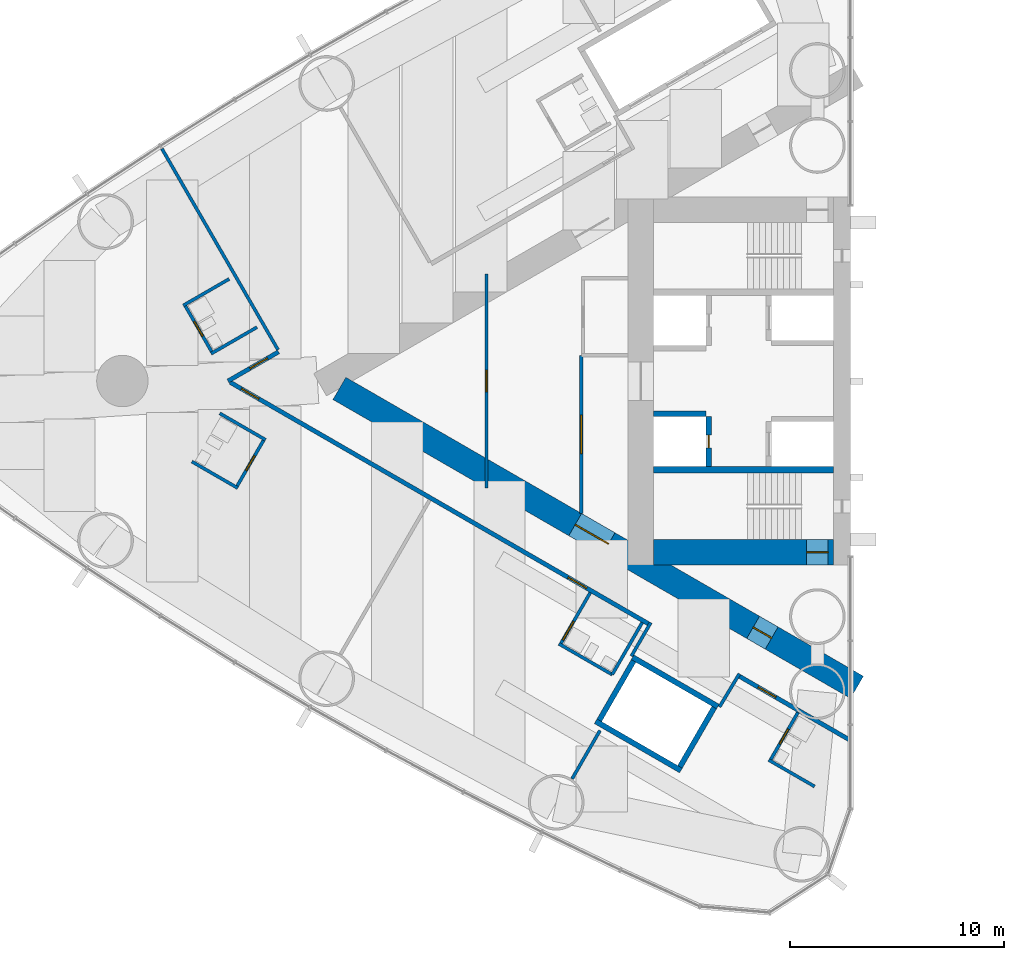
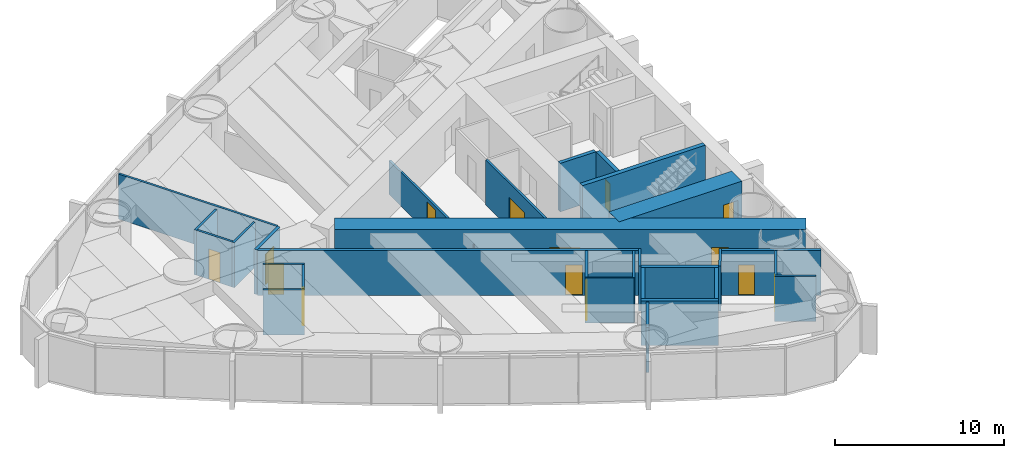
# One storey, part 11 of 18: 29 walls, 14 doors, 14 openings.
"""IFC4 building model written with IfcOpenShell, lengths in metres."""

from ifc_helpers import new_model, si_unit, direction, frame, frame_2d, origin, place, context, subcontext, project, spatial, rectangle, extrude, material, layer, layer_set, type_object, element, fill, save


model = new_model("IFC4")

# Units and contexts
model_context = context("Model", 3, precision=1e-05, world=origin(), true_north=direction((0.0, 1.0)))
body_context = subcontext(model_context, "Body", "Model", "MODEL_VIEW")
ifc_project = project(units=[si_unit("LENGTHUNIT", "METRE"), si_unit("AREAUNIT", "SQUARE_METRE"), si_unit("VOLUMEUNIT", "CUBIC_METRE"), si_unit("PLANEANGLEUNIT", "RADIAN"), si_unit("MASSUNIT", "GRAM", prefix="KILO")], contexts=[model_context])

# Site, building, storey
site_placement = place(None, origin())
site = spatial("IfcSite", under=ifc_project, at=site_placement, CompositionType="ELEMENT")
building_placement = place(site_placement, origin())
building = spatial("IfcBuilding", under=site, at=building_placement, Name="Lancet Gate Hotel", CompositionType="ELEMENT")
storey_placement = place(building_placement, frame((0.0, 0.0, 101.10009765625)))
storey = spatial("IfcBuildingStorey", under=building, at=storey_placement, Name="L26", CompositionType="ELEMENT", Elevation=101.10009765625)

# Wall
ifc_material_1 = material(Name="Moisture resistant board partition")
ifc_layer_1 = layer(ifc_material_1, 0.14990234375)
ifc_layer_set_1 = layer_set([ifc_layer_1], Name="Bathroom wall 150")
wall_type_1 = type_object("IfcWallType", Name="Bathroom wall 150", PredefinedType="PARTITIONING", material=ifc_layer_set_1)
wall_1_placement = place(storey_placement, frame((-56.51708984375, 4.763916015625, 0.0), z_axis=(0.0, 0.0, 1.0), x_axis=(-0.866031185235, -0.4999899861, 0.0)))
element("IfcWall", 1, at=wall_1_placement, inside=storey, type_object=wall_type_1, Name="T1 bathroom wall 150 L26", PredefinedType="PARTITIONING", context=body_context, shape_type="SweptSolid", body=[
    extrude(rectangle(XDim=2.47509765625, YDim=0.14990234375, at=frame_2d((1.237548828125, 0.0))), origin(), (0.0, 0.0, 1.0), 3.25),
])

# Wall, opening, door
wall_2_placement = place(storey_placement, frame((-57.295654296875, 1.312255859375, 0.0), z_axis=(0.0, 0.0, 1.0), x_axis=(-0.49997716683, 0.86603858612, 0.0)))
wall_2 = element("IfcWall", 2, at=wall_2_placement, inside=storey, type_object=wall_type_1, Name="T1 bathroom wall 150 L26", PredefinedType="PARTITIONING", context=body_context, shape_type="SweptSolid", body=[
    extrude(rectangle(XDim=2.599609375, YDim=0.14990234375, at=frame_2d((1.2998046875, 0.0))), origin(), (0.0, 0.0, 1.0), 3.25),
])
opening_1_placement = place(wall_2_placement, frame((0.89990234375, 0.0, 0.0)))
opening_1 = element("IfcOpeningElement", 3, at=opening_1_placement, cuts=wall_2, Name="Opening 2604-B", PredefinedType="OPENING", context=body_context, shape_type="SweptSolid", body=[
    extrude(rectangle(XDim=0.800048828125, YDim=2.199951171875, at=frame_2d((0.39990234375, 1.10009765625))), frame((0.0, 0.0849609375, 0.0), z_axis=(0.0, -1.0, 0.0), x_axis=(1.0, 0.0, 0.0)), (0.0, 0.0, 1.0), 0.169921875),
])
ifc_material_2 = material(Name="Timber door set", Category="wood")
door_type_1 = type_object("IfcDoorType", Name="Bathroom door 800", OperationType="SINGLE_SWING_RIGHT", PredefinedType="DOOR", material=ifc_material_2)
door_1_placement = place(opening_1_placement, origin())
door_1 = element("IfcDoor", 4, at=door_1_placement, inside=storey, type_object=door_type_1, Name="2604-B", OperationType="SINGLE_SWING_RIGHT", OverallHeight=2.199951171875, OverallWidth=0.800048828125, PredefinedType="DOOR", context=body_context, shape_type="SweptSolid", body=[
    extrude(rectangle(XDim=0.800048828125, YDim=2.199951171875, at=frame_2d((0.39990234375, 1.10009765625))), frame((0.0, 0.02490234375, 0.0), z_axis=(0.0, -1.0, 0.0), x_axis=(1.0, 0.0, 0.0)), (0.0, 0.0, 1.0), 0.050048828125),
])
fill(opening_1, door_1)

# Walls
for number, where, z_axis, x_axis, name in (
    (5, (-55.217041015625, 2.51220703125, 0.0), (0.0, 0.0, 1.0), (-0.866031185235, -0.4999899861, 0.0), "T1 bathroom wall 150 L26"),
    (6, (-56.111083984375, -4.998291015625, 0.0), (0.0, 0.0, 1.0), (-0.866031185235, 0.4999899861, 0.0), "T1 bathroom wall 150 L26"),
):
    element("IfcWall", number, at=place(storey_placement, frame(where, z_axis=z_axis, x_axis=x_axis)), inside=storey, type_object=wall_type_1, Name=name, PredefinedType="PARTITIONING", context=body_context, shape_type="SweptSolid", body=[
        extrude(rectangle(XDim=2.47509765625, YDim=0.14990234375, at=frame_2d((1.237548828125, 0.0))), origin(), (0.0, 0.0, 1.0), 3.25),
    ])

# Wall, opening, door
wall_3_placement = place(storey_placement, frame((-54.8759765625, -2.708984375, 0.0), z_axis=(0.0, 0.0, 1.0), x_axis=(-0.500006934395, -0.866021400173, 0.0)))
wall_3 = element("IfcWall", 7, at=wall_3_placement, inside=storey, type_object=wall_type_1, Name="T1 bathroom wall 150 L26", PredefinedType="PARTITIONING", context=body_context, shape_type="SweptSolid", body=[
    extrude(rectangle(XDim=2.60009765625, YDim=0.14990234375, at=frame_2d((1.300048828125, 0.0))), origin(), (0.0, 0.0, 1.0), 3.25),
])
opening_2_placement = place(wall_3_placement, frame((0.89990234375, 0.0, 0.0)))
opening_2 = element("IfcOpeningElement", 8, at=opening_2_placement, cuts=wall_3, Name="Opening 2605-B", PredefinedType="OPENING", context=body_context, shape_type="SweptSolid", body=[
    extrude(rectangle(XDim=0.800048828125, YDim=2.199951171875, at=frame_2d((0.39990234375, 1.10009765625))), frame((0.0, 0.0849609375, 0.0), z_axis=(0.0, -1.0, 0.0), x_axis=(1.0, 0.0, 0.0)), (0.0, 0.0, 1.0), 0.169921875),
])
door_2_placement = place(opening_2_placement, origin())
door_2 = element("IfcDoor", 9, at=door_2_placement, inside=storey, type_object=door_type_1, Name="2605-B", OperationType="SINGLE_SWING_RIGHT", OverallHeight=2.199951171875, OverallWidth=0.800048828125, PredefinedType="DOOR", context=body_context, shape_type="SweptSolid", body=[
    extrude(rectangle(XDim=0.800048828125, YDim=2.199951171875, at=frame_2d((0.39990234375, 1.10009765625))), frame((0.0, 0.02490234375, 0.0), z_axis=(0.0, -1.0, 0.0), x_axis=(1.0, 0.0, 0.0)), (0.0, 0.0, 1.0), 0.050048828125),
])
fill(opening_2, door_2)

# Walls
wall_4_placement = place(storey_placement, frame((-54.81103515625, -2.74658203125, 0.0), z_axis=(0.0, 0.0, 1.0), x_axis=(-0.866031185235, 0.4999899861, 0.0)))
element("IfcWall", 10, at=wall_4_placement, inside=storey, type_object=wall_type_1, Name="T1 bathroom wall 150 L26", PredefinedType="PARTITIONING", context=body_context, shape_type="SweptSolid", body=[
    extrude(rectangle(XDim=2.47509765625, YDim=0.14990234375, at=frame_2d((1.237548828125, 0.0))), origin(), (0.0, 0.0, 1.0), 3.25),
])
wall_5_placement = place(storey_placement, frame((-38.630126953125, -13.705322265625, 0.0), z_axis=(0.0, 0.0, 1.0), x_axis=(-0.866018712932, 0.500011588718, 0.0)))
element("IfcWall", 11, at=wall_5_placement, inside=storey, type_object=wall_type_1, Name="T1 bathroom wall 150 L26", PredefinedType="PARTITIONING", context=body_context, shape_type="SweptSolid", body=[
    extrude(rectangle(XDim=2.875, YDim=0.14990234375, at=frame_2d((1.4375, 0.0))), origin(), (0.0, 0.0, 1.0), 3.25),
])

# Wall, opening, door
wall_6_placement = place(storey_placement, frame((-39.65478515625, -9.88037109375, 0.0), z_axis=(0.0, 0.0, 1.0), x_axis=(-0.500049511043, -0.865996816683, 0.0)))
wall_6 = element("IfcWall", 12, at=wall_6_placement, inside=storey, type_object=wall_type_1, Name="T1 bathroom wall 150 L26", PredefinedType="PARTITIONING", context=body_context, shape_type="SweptSolid", body=[
    extrude(rectangle(XDim=2.800048828125, YDim=0.14990234375, at=frame_2d((1.39990234375, 0.0))), origin(), (0.0, 0.0, 1.0), 3.25),
])
opening_3_placement = place(wall_6_placement, frame((1.550048828125, 0.0, 0.0)))
opening_3 = element("IfcOpeningElement", 13, at=opening_3_placement, cuts=wall_6, Name="Opening 2607-B", PredefinedType="OPENING", context=body_context, shape_type="SweptSolid", body=[
    extrude(rectangle(XDim=1.0, YDim=2.199951171875, at=frame_2d((0.5, 1.10009765625))), frame((0.0, 0.0849609375, 0.0), z_axis=(0.0, -1.0, 0.0), x_axis=(1.0, 0.0, 0.0)), (0.0, 0.0, 1.0), 0.169921875),
])
ifc_material_3 = material(Name="Timber door set", Category="wood")
door_type_2 = type_object("IfcDoorType", Name="Accessible en-suite door 1000", OperationType="SINGLE_SWING_RIGHT", PredefinedType="DOOR", material=ifc_material_3)
door_3_placement = place(opening_3_placement, origin())
door_3 = element("IfcDoor", 14, at=door_3_placement, inside=storey, type_object=door_type_2, Name="2607-B", OperationType="SINGLE_SWING_RIGHT", OverallHeight=2.199951171875, OverallWidth=1.0, PredefinedType="DOOR", context=body_context, shape_type="SweptSolid", body=[
    extrude(rectangle(XDim=1.0, YDim=2.199951171875, at=frame_2d((0.5, 1.10009765625))), frame((0.0, 0.02490234375, 0.0), z_axis=(0.0, -1.0, 0.0), x_axis=(1.0, 0.0, 0.0)), (0.0, 0.0, 1.0), 0.050048828125),
])
fill(opening_3, door_3)

# Walls
wall_7_placement = place(storey_placement, frame((-37.22998046875, -11.280517578125, 0.0), z_axis=(0.0, 0.0, 1.0), x_axis=(-0.500049511043, -0.865996816683, 0.0)))
element("IfcWall", 15, at=wall_7_placement, inside=storey, type_object=wall_type_1, Name="T1 bathroom wall 150 L26", PredefinedType="PARTITIONING", context=body_context, shape_type="SweptSolid", body=[
    extrude(rectangle(XDim=2.800048828125, YDim=0.14990234375, at=frame_2d((1.39990234375, 0.0))), origin(), (0.0, 0.0, 1.0), 3.25),
])
wall_8_placement = place(storey_placement, frame((-29.181884765625, -18.92919921875, 0.0), z_axis=(0.0, 0.0, 1.0), x_axis=(-0.866006523861, 0.500032699561, 0.0)))
element("IfcWall", 16, at=wall_8_placement, inside=storey, type_object=wall_type_1, Name="T1 bathroom wall 150 L26", PredefinedType="PARTITIONING", context=body_context, shape_type="SweptSolid", body=[
    extrude(rectangle(XDim=2.474853515625, YDim=0.14990234375, at=frame_2d((1.2373046875, 0.0))), origin(), (0.0, 0.0, 1.0), 3.25),
])

# Wall, opening, door
wall_9_placement = place(storey_placement, frame((-29.960205078125, -15.4775390625, 0.0), z_axis=(0.0, 0.0, 1.0), x_axis=(-0.500006934395, -0.866021400173, 0.0)))
wall_9 = element("IfcWall", 17, at=wall_9_placement, inside=storey, type_object=wall_type_1, Name="T1 bathroom wall 150 L26", PredefinedType="PARTITIONING", context=body_context, shape_type="SweptSolid", body=[
    extrude(rectangle(XDim=2.60009765625, YDim=0.14990234375, at=frame_2d((1.300048828125, 0.0))), origin(), (0.0, 0.0, 1.0), 3.25),
])
opening_4_placement = place(wall_9_placement, frame((0.89990234375, 0.0, 0.0)))
opening_4 = element("IfcOpeningElement", 18, at=opening_4_placement, cuts=wall_9, Name="Opening 2608-B", PredefinedType="OPENING", context=body_context, shape_type="SweptSolid", body=[
    extrude(rectangle(XDim=0.800048828125, YDim=2.199951171875, at=frame_2d((0.39990234375, 1.10009765625))), frame((0.0, 0.0849609375, 0.0), z_axis=(0.0, -1.0, 0.0), x_axis=(1.0, 0.0, 0.0)), (0.0, 0.0, 1.0), 0.169921875),
])
door_4_placement = place(opening_4_placement, origin())
door_4 = element("IfcDoor", 19, at=door_4_placement, inside=storey, type_object=door_type_1, Name="2608-B", OperationType="SINGLE_SWING_RIGHT", OverallHeight=2.199951171875, OverallWidth=0.800048828125, PredefinedType="DOOR", context=body_context, shape_type="SweptSolid", body=[
    extrude(rectangle(XDim=0.800048828125, YDim=2.199951171875, at=frame_2d((0.39990234375, 1.10009765625))), frame((0.0, 0.02490234375, 0.0), z_axis=(0.0, -1.0, 0.0), x_axis=(1.0, 0.0, 0.0)), (0.0, 0.0, 1.0), 0.050048828125),
])
fill(opening_4, door_4)

# Wall, openings, doors
ifc_material_4 = material(Name="Concrete C70/85", Category="concrete")
ifc_layer_2 = layer(ifc_material_4, 1.199951171875)
ifc_layer_set_2 = layer_set([ifc_layer_2], Name="Buttress wall 1200")
wall_type_2 = type_object("IfcWallType", Name="Buttress wall 1200", PredefinedType="SHEAR", material=ifc_layer_set_2)
wall_10_placement = place(storey_placement, frame((-27.199951171875, -14.300048828125, 0.0), z_axis=(0.0, 0.0, 1.0), x_axis=(-0.866024021859, 0.500002393557, 0.0)))
wall_10 = element("IfcWall", 20, at=wall_10_placement, inside=storey, type_object=wall_type_2, Name="T1 buttress wall N L26", PredefinedType="SHEAR", context=body_context, shape_type="SweptSolid", body=[
    extrude(rectangle(XDim=27.906982421875, YDim=1.199951171875, at=frame_2d((13.95361328125, 0.0))), origin(), (0.0, 0.0, 1.0), 3.5),
])
opening_5_placement = place(wall_10_placement, frame((4.60009765625, 0.0, 0.0)))
opening_5 = element("IfcOpeningElement", 21, at=opening_5_placement, cuts=wall_10, Name="Opening T1-L26-LN", PredefinedType="OPENING", context=body_context, shape_type="SweptSolid", body=[
    extrude(rectangle(XDim=1.0, YDim=2.199951171875, at=frame_2d((0.5, 1.10009765625))), frame((0.0, 0.60986328125, 0.0), z_axis=(0.0, -1.0, 0.0), x_axis=(1.0, 0.0, 0.0)), (0.0, 0.0, 1.0), 1.219970703125),
])
opening_6_placement = place(wall_10_placement, frame((13.39453125, 0.0, 0.0)))
opening_6 = element("IfcOpeningElement", 22, at=opening_6_placement, cuts=wall_10, Name="Opening T1-L26-LHN", PredefinedType="OPENING", context=body_context, shape_type="SweptSolid", body=[
    extrude(rectangle(XDim=1.800048828125, YDim=2.199951171875, at=frame_2d((0.89990234375, 1.10009765625))), frame((0.0, 0.60986328125, 0.0), z_axis=(0.0, -1.0, 0.0), x_axis=(1.0, 0.0, 0.0)), (0.0, 0.0, 1.0), 1.219970703125),
])
ifc_material_5 = material(Name="Timber door set", Category="wood")
door_type_3 = type_object("IfcDoorType", Name="Lobby double door 1800", OperationType="DOUBLE_DOOR_SINGLE_SWING", PredefinedType="DOOR", material=ifc_material_5)
door_5_placement = place(opening_6_placement, origin())
door_5 = element("IfcDoor", 23, at=door_5_placement, inside=storey, type_object=door_type_3, Name="T1-L26-LHN", OperationType="DOUBLE_DOOR_SINGLE_SWING", OverallHeight=2.199951171875, OverallWidth=1.800048828125, PredefinedType="DOOR", context=body_context, shape_type="SweptSolid", body=[
    extrude(rectangle(XDim=1.800048828125, YDim=2.199951171875, at=frame_2d((0.89990234375, 1.10009765625))), frame((0.0, 0.02490234375, 0.0), z_axis=(0.0, -1.0, 0.0), x_axis=(1.0, 0.0, 0.0)), (0.0, 0.0, 1.0), 0.050048828125),
])
fill(opening_6, door_5)
ifc_material_6 = material(Name="Timber door set", Category="wood")
door_type_4 = type_object("IfcDoorType", Name="Stair lobby door 1000", OperationType="SINGLE_SWING_LEFT", PredefinedType="DOOR", material=ifc_material_6)
door_6_placement = place(opening_5_placement, origin())
door_6 = element("IfcDoor", 24, at=door_6_placement, inside=storey, type_object=door_type_4, Name="T1-L26-LN", OperationType="SINGLE_SWING_LEFT", OverallHeight=2.199951171875, OverallWidth=1.0, PredefinedType="DOOR", context=body_context, shape_type="SweptSolid", body=[
    extrude(rectangle(XDim=1.0, YDim=2.199951171875, at=frame_2d((0.5, 1.10009765625))), frame((0.0, 0.02490234375, 0.0), z_axis=(0.0, -1.0, 0.0), x_axis=(1.0, 0.0, 0.0)), (0.0, 0.0, 1.0), 0.050048828125),
])
fill(opening_5, door_6)

# Wall, opening, door
ifc_material_7 = material(Name="Concrete C70/85", Category="concrete")
ifc_layer_3 = layer(ifc_material_7, 1.199951171875)
ifc_layer_set_3 = layer_set([ifc_layer_3], Name="Core wall 1200")
wall_type_3 = type_object("IfcWallType", Name="Core wall 1200", PredefinedType="SHEAR", material=ifc_layer_set_3)
wall_11_placement = place(storey_placement, frame((-28.300048828125, -8.0, 0.0), z_axis=(0.0, 0.0, 1.0), x_axis=(-1.0, 0.0, 0.0)))
wall_11 = element("IfcWall", 25, at=wall_11_placement, inside=storey, type_object=wall_type_3, Name="T1 core wall side-N L26", PredefinedType="SHEAR", context=body_context, shape_type="SweptSolid", body=[
    extrude(rectangle(XDim=8.39990234375, YDim=1.199951171875, at=frame_2d((4.199951171875, 0.0))), origin(), (0.0, 0.0, 1.0), 3.5),
])
opening_7_placement = place(wall_11_placement, frame((0.25, 0.0, 0.0)))
opening_7 = element("IfcOpeningElement", 26, at=opening_7_placement, cuts=wall_11, Name="Opening T1-L26-ST2", PredefinedType="OPENING", context=body_context, shape_type="SweptSolid", body=[
    extrude(rectangle(XDim=1.0, YDim=2.199951171875, at=frame_2d((0.5, 1.10009765625))), frame((0.0, 0.60986328125, 0.0), z_axis=(0.0, -1.0, 0.0), x_axis=(1.0, 0.0, 0.0)), (0.0, 0.0, 1.0), 1.219970703125),
])
ifc_material_8 = material(Name="Timber door set", Category="wood")
door_type_5 = type_object("IfcDoorType", Name="Stair door 1000", OperationType="SINGLE_SWING_RIGHT", PredefinedType="DOOR", material=ifc_material_8)
door_7_placement = place(opening_7_placement, origin())
door_7 = element("IfcDoor", 27, at=door_7_placement, inside=storey, type_object=door_type_5, Name="T1-L26-ST2", OperationType="SINGLE_SWING_RIGHT", OverallHeight=2.199951171875, OverallWidth=1.0, PredefinedType="DOOR", context=body_context, shape_type="SweptSolid", body=[
    extrude(rectangle(XDim=1.0, YDim=2.199951171875, at=frame_2d((0.5, 1.10009765625))), frame((0.0, 0.02490234375, 0.0), z_axis=(0.0, -1.0, 0.0), x_axis=(1.0, 0.0, 0.0)), (0.0, 0.0, 1.0), 0.050048828125),
])
fill(opening_7, door_7)

ifc_material_9 = material(Name="Gypsum board partition")
ifc_layer_4 = layer(ifc_material_9, 0.199951171875)
ifc_layer_set_4 = layer_set([ifc_layer_4], Name="Corridor wall 200")
wall_type_4 = type_object("IfcWallType", Name="Corridor wall 200", PredefinedType="PARTITIONING", material=ifc_layer_set_4)
wall_12_placement = place(storey_placement, frame((-27.572021484375, -16.740966796875, 0.0), z_axis=(0.0, 0.0, 1.0), x_axis=(-0.866024464444, 0.500001626982, 0.0)))
wall_12 = element("IfcWall", 28, at=wall_12_placement, inside=storey, type_object=wall_type_4, Name="T1 corridor wall 200 L26", PredefinedType="PARTITIONING", context=body_context, shape_type="SweptSolid", body=[
    extrude(rectangle(XDim=5.955078125, YDim=0.199951171875, at=frame_2d((2.9775390625, 0.0))), origin(), (0.0, 0.0, 1.0), 3.25),
])
opening_8_placement = place(wall_12_placement, frame((3.949951171875, 0.0, 0.0)))
opening_8 = element("IfcOpeningElement", 29, at=opening_8_placement, cuts=wall_12, Name="Opening 2608-E", PredefinedType="OPENING", context=body_context, shape_type="SweptSolid", body=[
    extrude(rectangle(XDim=0.949951171875, YDim=2.199951171875, at=frame_2d((0.47509765625, 1.10009765625))), frame((0.0, 0.10986328125, 0.0), z_axis=(0.0, -1.0, 0.0), x_axis=(1.0, 0.0, 0.0)), (0.0, 0.0, 1.0), 0.219970703125),
])
ifc_material_10 = material(Name="Timber door set", Category="wood")
door_type_6 = type_object("IfcDoorType", Name="Guest room entry door 950", OperationType="SINGLE_SWING_LEFT", PredefinedType="DOOR", material=ifc_material_10)
door_8_placement = place(opening_8_placement, origin())
door_8 = element("IfcDoor", 30, at=door_8_placement, inside=storey, type_object=door_type_6, Name="2608-E", OperationType="SINGLE_SWING_LEFT", OverallHeight=2.199951171875, OverallWidth=0.949951171875, PredefinedType="DOOR", context=body_context, shape_type="SweptSolid", body=[
    extrude(rectangle(XDim=0.949951171875, YDim=2.199951171875, at=frame_2d((0.47509765625, 1.10009765625))), frame((0.0, 0.02490234375, 0.0), z_axis=(0.0, -1.0, 0.0), x_axis=(1.0, 0.0, 0.0)), (0.0, 0.0, 1.0), 0.050048828125),
])
fill(opening_8, door_8)

# Wall, openings, doors
wall_13_placement = place(storey_placement, frame((-36.920166015625, -11.34375, 0.0), z_axis=(0.0, 0.0, 1.0), x_axis=(-0.866028313256, 0.499994960614, 0.0)))
wall_13 = element("IfcWall", 31, at=wall_13_placement, inside=storey, type_object=wall_type_4, Name="T1 corridor wall 200 L26", PredefinedType="PARTITIONING", context=body_context, shape_type="SweptSolid", body=[
    extrude(rectangle(XDim=22.567626953125, YDim=0.199951171875, at=frame_2d((11.28369140625, 0.0))), origin(), (0.0, 0.0, 1.0), 3.25),
])
opening_9_placement = place(wall_13_placement, frame((21.017578125, 0.0, 0.0)))
opening_9 = element("IfcOpeningElement", 32, at=opening_9_placement, cuts=wall_13, Name="Opening 2605-E", PredefinedType="OPENING", context=body_context, shape_type="SweptSolid", body=[
    extrude(rectangle(XDim=0.949951171875, YDim=2.199951171875, at=frame_2d((0.47509765625, 1.10009765625))), frame((0.0, 0.10986328125, 0.0), z_axis=(0.0, -1.0, 0.0), x_axis=(1.0, 0.0, 0.0)), (0.0, 0.0, 1.0), 0.219970703125),
])
opening_10_placement = place(wall_13_placement, frame((3.35009765625, 0.0, 0.0)))
opening_10 = element("IfcOpeningElement", 33, at=opening_10_placement, cuts=wall_13, Name="Opening 2607-E", PredefinedType="OPENING", context=body_context, shape_type="SweptSolid", body=[
    extrude(rectangle(XDim=1.0, YDim=2.199951171875, at=frame_2d((0.5, 1.10009765625))), frame((0.0, 0.10986328125, 0.0), z_axis=(0.0, -1.0, 0.0), x_axis=(1.0, 0.0, 0.0)), (0.0, 0.0, 1.0), 0.219970703125),
])
ifc_material_11 = material(Name="Timber door set", Category="wood")
door_type_7 = type_object("IfcDoorType", Name="Accessible guest room door 1000", OperationType="SINGLE_SWING_LEFT", PredefinedType="DOOR", material=ifc_material_11)
door_9_placement = place(opening_10_placement, origin())
door_9 = element("IfcDoor", 34, at=door_9_placement, inside=storey, type_object=door_type_7, Name="2607-E", OperationType="SINGLE_SWING_LEFT", OverallHeight=2.199951171875, OverallWidth=1.0, PredefinedType="DOOR", context=body_context, shape_type="SweptSolid", body=[
    extrude(rectangle(XDim=1.0, YDim=2.199951171875, at=frame_2d((0.5, 1.10009765625))), frame((0.0, 0.02490234375, 0.0), z_axis=(0.0, -1.0, 0.0), x_axis=(1.0, 0.0, 0.0)), (0.0, 0.0, 1.0), 0.050048828125),
])
fill(opening_10, door_9)
door_10_placement = place(opening_9_placement, origin())
door_10 = element("IfcDoor", 35, at=door_10_placement, inside=storey, type_object=door_type_6, Name="2605-E", OperationType="SINGLE_SWING_LEFT", OverallHeight=2.199951171875, OverallWidth=0.949951171875, PredefinedType="DOOR", context=body_context, shape_type="SweptSolid", body=[
    extrude(rectangle(XDim=0.949951171875, YDim=2.199951171875, at=frame_2d((0.47509765625, 1.10009765625))), frame((0.0, 0.02490234375, 0.0), z_axis=(0.0, -1.0, 0.0), x_axis=(1.0, 0.0, 0.0)), (0.0, 0.0, 1.0), 0.050048828125),
])
fill(opening_9, door_10)

# Wall, opening, door
wall_14_placement = place(storey_placement, frame((-54.207275390625, 1.363037109375, 0.0), z_axis=(0.0, 0.0, 1.0), x_axis=(-0.866046902845, -0.499962760685, 0.0)))
wall_14 = element("IfcWall", 36, at=wall_14_placement, inside=storey, type_object=wall_type_4, Name="T1 corridor wall 200 L26", PredefinedType="PARTITIONING", context=body_context, shape_type="SweptSolid", body=[
    extrude(rectangle(XDim=2.726318359375, YDim=0.199951171875, at=frame_2d((1.36328125, 0.0))), origin(), (0.0, 0.0, 1.0), 3.25),
])
opening_11_placement = place(wall_14_placement, frame((0.60009765625, 0.0, 0.0)))
opening_11 = element("IfcOpeningElement", 37, at=opening_11_placement, cuts=wall_14, Name="Opening 2604-E", PredefinedType="OPENING", context=body_context, shape_type="SweptSolid", body=[
    extrude(rectangle(XDim=0.949951171875, YDim=2.199951171875, at=frame_2d((0.47509765625, 1.10009765625))), frame((0.0, 0.10986328125, 0.0), z_axis=(0.0, -1.0, 0.0), x_axis=(1.0, 0.0, 0.0)), (0.0, 0.0, 1.0), 0.219970703125),
])
door_11_placement = place(opening_11_placement, origin())
door_11 = element("IfcDoor", 38, at=door_11_placement, inside=storey, type_object=door_type_6, Name="2604-E", OperationType="SINGLE_SWING_LEFT", OverallHeight=2.199951171875, OverallWidth=0.949951171875, PredefinedType="DOOR", context=body_context, shape_type="SweptSolid", body=[
    extrude(rectangle(XDim=0.949951171875, YDim=2.199951171875, at=frame_2d((0.47509765625, 1.10009765625))), frame((0.0, 0.02490234375, 0.0), z_axis=(0.0, -1.0, 0.0), x_axis=(1.0, 0.0, 0.0)), (0.0, 0.0, 1.0), 0.050048828125),
])
fill(opening_11, door_11)

# Walls
ifc_material_12 = material(Name="Gypsum board partition")
ifc_layer_5 = layer(ifc_material_12, 0.25)
ifc_layer_set_5 = layer_set([ifc_layer_5], Name="Lift shaft partition 250")
wall_type_5 = type_object("IfcWallType", Name="Lift shaft partition 250", PredefinedType="PARTITIONING", material=ifc_layer_set_5)
wall_15_placement = place(storey_placement, frame((-33.695556640625, -15.197265625, 0.0), z_axis=(0.0, 0.0, 1.0), x_axis=(-0.865976953817, 0.500083908417, 0.0)))
element("IfcWall", 39, at=wall_15_placement, inside=storey, type_object=wall_type_5, Name="T1 lift shaft wall EX L26", PredefinedType="PARTITIONING", context=body_context, shape_type="SweptSolid", body=[
    extrude(rectangle(XDim=4.599365234375, YDim=0.25, at=frame_2d((2.2998046875, 0.0))), origin(), (0.0, 0.0, 1.0), 3.25),
])
wall_16_placement = place(storey_placement, frame((-35.42041015625, -18.185791015625, 0.0), z_axis=(0.0, 0.0, 1.0), x_axis=(-0.865990227814, 0.50006092162, 0.0)))
element("IfcWall", 40, at=wall_16_placement, inside=storey, type_object=wall_type_5, Name="T1 lift shaft wall EX L26", PredefinedType="PARTITIONING", context=body_context, shape_type="SweptSolid", body=[
    extrude(rectangle(XDim=4.599609375, YDim=0.25, at=frame_2d((2.2998046875, 0.0))), origin(), (0.0, 0.0, 1.0), 3.25),
])
wall_17_placement = place(storey_placement, frame((-33.8662109375, -15.242919921875, 0.0), z_axis=(0.0, 0.0, 1.0), x_axis=(-0.499929347863, -0.866066190972, 0.0)))
element("IfcWall", 41, at=wall_17_placement, inside=storey, type_object=wall_type_5, Name="T1 lift shaft wall EX L26", PredefinedType="PARTITIONING", context=body_context, shape_type="SweptSolid", body=[
    extrude(rectangle(XDim=3.20068359375, YDim=0.25, at=frame_2d((1.600341796875, 0.0))), origin(), (0.0, 0.0, 1.0), 3.25),
])
wall_18_placement = place(storey_placement, frame((-37.6328125, -13.068115234375, 0.0), z_axis=(0.0, 0.0, 1.0), x_axis=(-0.499872130319, -0.866099216793, 0.0)))
element("IfcWall", 42, at=wall_18_placement, inside=storey, type_object=wall_type_5, Name="T1 lift shaft wall EX L26", PredefinedType="PARTITIONING", context=body_context, shape_type="SweptSolid", body=[
    extrude(rectangle(XDim=3.200439453125, YDim=0.25, at=frame_2d((1.60009765625, 0.0))), origin(), (0.0, 0.0, 1.0), 3.25),
])

# Wall, opening, door
ifc_material_13 = material(Name="Concrete C50/60", Category="concrete")
ifc_layer_6 = layer(ifc_material_13, 0.25)
ifc_layer_set_6 = layer_set([ifc_layer_6], Name="Lift shaft wall 250")
wall_type_6 = type_object("IfcWallType", Name="Lift shaft wall 250", PredefinedType="SHEAR", material=ifc_layer_set_6)
wall_19_placement = place(storey_placement, frame((-34.125, -1.64990234375, 0.0), z_axis=(0.0, 0.0, 1.0), x_axis=(0.0, -1.0, 0.0)))
wall_19 = element("IfcWall", 43, at=wall_19_placement, inside=storey, type_object=wall_type_6, Name="T1 core wall row2-N L26", PredefinedType="SHEAR", context=body_context, shape_type="SweptSolid", body=[
    extrude(rectangle(XDim=2.35009765625, YDim=0.25, at=frame_2d((1.175048828125, 0.0))), origin(), (0.0, 0.0, 1.0), 3.5),
])
opening_12_placement = place(wall_19_placement, frame((0.875, 0.0, 0.0)))
opening_12 = element("IfcOpeningElement", 44, at=opening_12_placement, cuts=wall_19, Name="Opening T1-OL4-L26-E", PredefinedType="OPENING", context=body_context, shape_type="SweptSolid", body=[
    extrude(rectangle(XDim=0.60009765625, YDim=2.0, at=frame_2d((0.300048828125, 1.0))), frame((0.0, 0.135009765625, 0.0), z_axis=(0.0, -1.0, 0.0), x_axis=(1.0, 0.0, 0.0)), (0.0, 0.0, 1.0), 0.27001953125),
])
ifc_material_14 = material(Name="Steel door set", Category="steel")
door_type_8 = type_object("IfcDoorType", Name="Lift shaft emergency door 600x2000", OperationType="SLIDING_TO_LEFT", PredefinedType="DOOR", material=ifc_material_14)
door_12_placement = place(opening_12_placement, origin())
door_12 = element("IfcDoor", 45, at=door_12_placement, inside=storey, type_object=door_type_8, Name="T1-OL4-L26-E", OperationType="SLIDING_TO_LEFT", OverallHeight=2.0, OverallWidth=0.60009765625, PredefinedType="DOOR", context=body_context, shape_type="SweptSolid", body=[
    extrude(rectangle(XDim=0.60009765625, YDim=2.0, at=frame_2d((0.300048828125, 1.0))), frame((0.0, 0.02490234375, 0.0), z_axis=(0.0, -1.0, 0.0), x_axis=(1.0, 0.0, 0.0)), (0.0, 0.0, 1.0), 0.050048828125),
])
fill(opening_12, door_12)

# Walls
wall_20_placement = place(storey_placement, frame((-34.25, -1.52490234375, 0.0), z_axis=(0.0, 0.0, 1.0), x_axis=(-1.0, 0.0, 0.0)))
element("IfcWall", 46, at=wall_20_placement, inside=storey, type_object=wall_type_6, Name="T1 core wall pass2-N L26", PredefinedType="SHEAR", context=body_context, shape_type="SweptSolid", body=[
    extrude(rectangle(XDim=2.449951171875, YDim=0.25, at=frame_2d((1.22509765625, 0.0))), origin(), (0.0, 0.0, 1.0), 3.5),
])
ifc_material_15 = material(Name="Gypsum board partition")
ifc_layer_7 = layer(ifc_material_15, 0.14990234375)
ifc_layer_set_7 = layer_set([ifc_layer_7], Name="Party wall 150")
wall_type_7 = type_object("IfcWallType", Name="Party wall 150", PredefinedType="PARTITIONING", material=ifc_layer_set_7)
wall_21_placement = place(storey_placement, frame((-54.235595703125, 1.462158203125, 0.0), z_axis=(0.0, 0.0, 1.0), x_axis=(-0.499990351854, 0.866030974073, 0.0)))
element("IfcWall", 47, at=wall_21_placement, inside=storey, type_object=wall_type_7, Name="T1 party wall 150 L26", PredefinedType="PARTITIONING", context=body_context, shape_type="SweptSolid", body=[
    extrude(rectangle(XDim=10.833740234375, YDim=0.14990234375, at=frame_2d((5.4169921875, 0.0))), origin(), (0.0, 0.0, 1.0), 3.25),
])
wall_22_placement = place(storey_placement, frame((-39.2021484375, -16.319580078125, 0.0), z_axis=(0.0, 0.0, 1.0), x_axis=(-0.49997716683, -0.86603858612, 0.0)))
element("IfcWall", 48, at=wall_22_placement, inside=storey, type_object=wall_type_7, Name="T1 party wall 150 L26", PredefinedType="PARTITIONING", context=body_context, shape_type="SweptSolid", body=[
    extrude(rectangle(XDim=2.599609375, YDim=0.14990234375, at=frame_2d((1.2998046875, 0.0))), origin(), (0.0, 0.0, 1.0), 3.25),
])
ifc_material_16 = material(Name="Gypsum board partition")
ifc_layer_8 = layer(ifc_material_16, 0.14990234375)
ifc_layer_set_8 = layer_set([ifc_layer_8], Name="Service room wall 150")
wall_type_8 = type_object("IfcWallType", Name="Service room wall 150", PredefinedType="PARTITIONING", material=ifc_layer_set_8)
wall_23_placement = place(storey_placement, frame((-36.831298828125, -11.27978515625, 0.0), z_axis=(0.0, 0.0, 1.0), x_axis=(-0.499937177781, -0.866061671171, 0.0)))
element("IfcWall", 49, at=wall_23_placement, inside=storey, type_object=wall_type_8, Name="T1 service room wall 150 L26", PredefinedType="PARTITIONING", context=body_context, shape_type="SweptSolid", body=[
    extrude(rectangle(XDim=1.804443359375, YDim=0.14990234375, at=frame_2d((0.90234375, 0.0))), origin(), (0.0, 0.0, 1.0), 3.25),
])
wall_24_placement = place(storey_placement, frame((-33.62060546875, -15.217529296875, 0.0), z_axis=(0.0, 0.0, 1.0), x_axis=(0.514336634837, 0.857588377991, 0.0)))
element("IfcWall", 50, at=wall_24_placement, inside=storey, type_object=wall_type_8, Name="T1 service room wall 150 L26", PredefinedType="PARTITIONING", context=body_context, shape_type="SweptSolid", body=[
    extrude(rectangle(XDim=1.80517578125, YDim=0.14990234375, at=frame_2d((0.902587890625, 0.0))), origin(), (0.0, 0.0, 1.0), 3.25),
])

# Wall, opening, door
wall_25_placement = place(storey_placement, frame((-40.074951171875, 1.199951171875, 0.0), z_axis=(0.0, 0.0, 1.0), x_axis=(0.0, -1.0, 0.0)))
wall_25 = element("IfcWall", 51, at=wall_25_placement, inside=storey, type_object=wall_type_8, Name="T1 service room wall 150 L26", PredefinedType="PARTITIONING", context=body_context, shape_type="SweptSolid", body=[
    extrude(rectangle(XDim=7.373779296875, YDim=0.14990234375, at=frame_2d((3.68701171875, 0.0))), origin(), (0.0, 0.0, 1.0), 3.25),
])
opening_13_placement = place(wall_25_placement, frame((2.786865234375, 0.0, 0.0)))
opening_13 = element("IfcOpeningElement", 52, at=opening_13_placement, cuts=wall_25, Name="Opening T1-L26-LH", PredefinedType="OPENING", context=body_context, shape_type="SweptSolid", body=[
    extrude(rectangle(XDim=1.800048828125, YDim=2.199951171875, at=frame_2d((0.89990234375, 1.10009765625))), frame((0.0, 0.0849609375, 0.0), z_axis=(0.0, -1.0, 0.0), x_axis=(1.0, 0.0, 0.0)), (0.0, 0.0, 1.0), 0.169921875),
])
door_13_placement = place(opening_13_placement, origin())
door_13 = element("IfcDoor", 53, at=door_13_placement, inside=storey, type_object=door_type_3, Name="T1-L26-LH", OperationType="DOUBLE_DOOR_SINGLE_SWING", OverallHeight=2.199951171875, OverallWidth=1.800048828125, PredefinedType="DOOR", context=body_context, shape_type="SweptSolid", body=[
    extrude(rectangle(XDim=1.800048828125, YDim=2.199951171875, at=frame_2d((0.89990234375, 1.10009765625))), frame((0.0, 0.02490234375, 0.0), z_axis=(0.0, -1.0, 0.0), x_axis=(1.0, 0.0, 0.0)), (0.0, 0.0, 1.0), 0.050048828125),
])
fill(opening_13, door_13)

wall_26_placement = place(storey_placement, frame((-44.5, 5.004638671875, 0.0), z_axis=(0.0, 0.0, 1.0), x_axis=(0.0, -1.0, 0.0)))
wall_26 = element("IfcWall", 54, at=wall_26_placement, inside=storey, type_object=wall_type_8, Name="T1 service room wall 150 L26", PredefinedType="PARTITIONING", context=body_context, shape_type="SweptSolid", body=[
    extrude(rectangle(XDim=10.00927734375, YDim=0.14990234375, at=frame_2d((5.004638671875, 0.0))), origin(), (0.0, 0.0, 1.0), 2.449951171875),
])
opening_14_placement = place(wall_26_placement, frame((4.504638671875, 0.0, 0.0)))
opening_14 = element("IfcOpeningElement", 55, at=opening_14_placement, cuts=wall_26, Name="Opening T1-L26-SV", PredefinedType="OPENING", context=body_context, shape_type="SweptSolid", body=[
    extrude(rectangle(XDim=1.0, YDim=2.199951171875, at=frame_2d((0.5, 1.10009765625))), frame((0.0, 0.0849609375, 0.0), z_axis=(0.0, -1.0, 0.0), x_axis=(1.0, 0.0, 0.0)), (0.0, 0.0, 1.0), 0.169921875),
])
ifc_material_17 = material(Name="Timber door set", Category="wood")
door_type_9 = type_object("IfcDoorType", Name="Service door 1000", OperationType="SINGLE_SWING_LEFT", PredefinedType="DOOR", material=ifc_material_17)
door_14_placement = place(opening_14_placement, origin())
door_14 = element("IfcDoor", 56, at=door_14_placement, inside=storey, type_object=door_type_9, Name="T1-L26-SV", OperationType="SINGLE_SWING_LEFT", OverallHeight=2.199951171875, OverallWidth=1.0, PredefinedType="DOOR", context=body_context, shape_type="SweptSolid", body=[
    extrude(rectangle(XDim=1.0, YDim=2.199951171875, at=frame_2d((0.5, 1.10009765625))), frame((0.0, 0.02490234375, 0.0), z_axis=(0.0, -1.0, 0.0), x_axis=(1.0, 0.0, 0.0)), (0.0, 0.0, 1.0), 0.050048828125),
])
fill(opening_14, door_14)

# Wall
ifc_material_18 = material(Name="Concrete C50/60", Category="concrete")
ifc_layer_9 = layer(ifc_material_18, 0.300048828125)
ifc_layer_set_9 = layer_set([ifc_layer_9], Name="Stair enclosure wall 300")
wall_type_9 = type_object("IfcWallType", Name="Stair enclosure wall 300", PredefinedType="SHEAR", material=ifc_layer_set_9)
wall_27_placement = place(storey_placement, frame((-28.300048828125, -4.14990234375, 0.0), z_axis=(0.0, 0.0, 1.0), x_axis=(-1.0, 0.0, 0.0)))
element("IfcWall", 57, at=wall_27_placement, inside=storey, type_object=wall_type_9, Name="T1 core wall stair-N L26", PredefinedType="SHEAR", context=body_context, shape_type="SweptSolid", body=[
    extrude(rectangle(XDim=8.39990234375, YDim=0.300048828125, at=frame_2d((4.199951171875, 0.0))), origin(), (0.0, 0.0, 1.0), 3.5),
])

save(model, "model.ifc")
